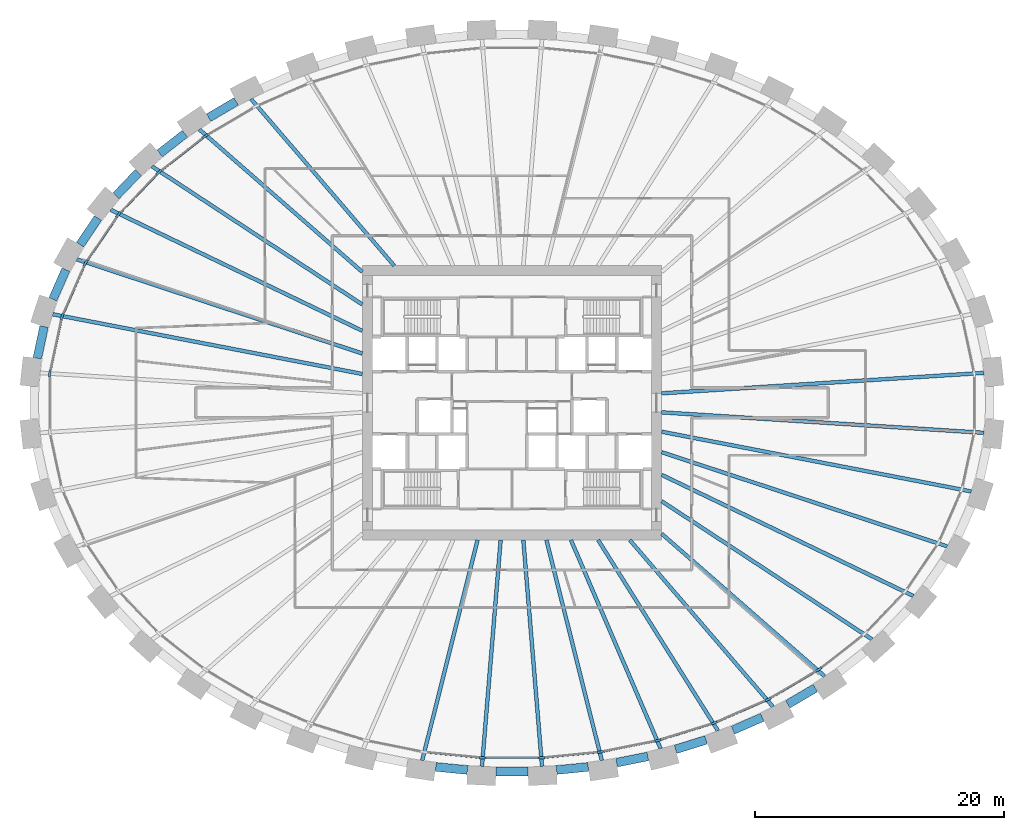
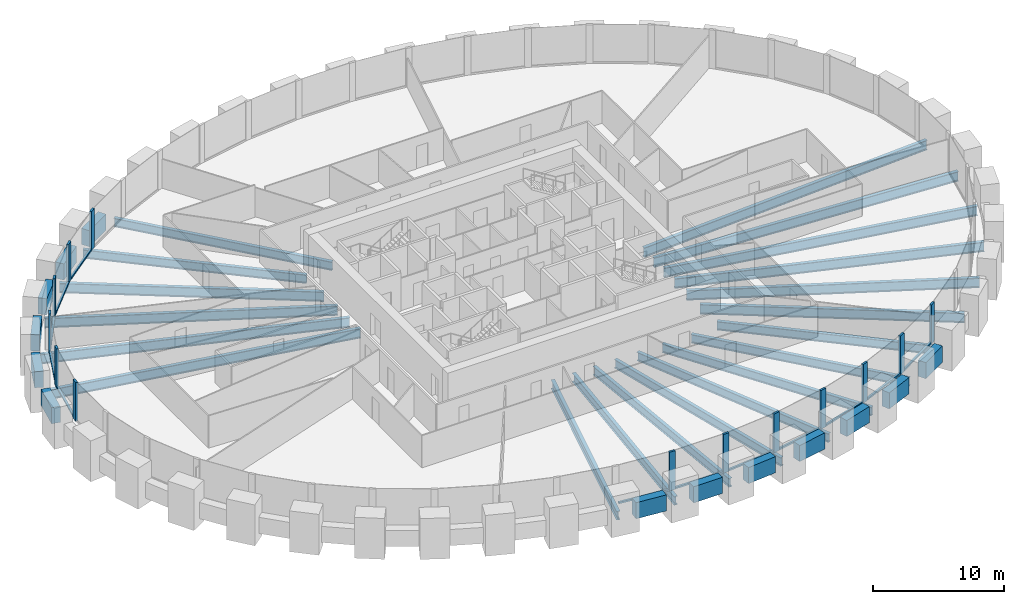
# One storey, part 2 of 11: 33 beams, 25 members, 1 element without a shape of its own.
"""IFC4 building model written with IfcOpenShell, lengths in metres."""

from ifc_helpers import new_model, si_unit, direction, frame, origin, origin_2d, place, context, subcontext, project, spatial, rectangle, i_section, extrude, source, transform, mapped, material, material_profile, profile_set, type_object, element, aggregate, save


model = new_model("IFC4")

# Units and contexts
model_context = context("Model", 3, precision=1e-05, world=origin(), true_north=direction((0.0, 1.0)))
body_context = subcontext(model_context, "Body", "Model", "MODEL_VIEW")
ifc_project = project(units=[si_unit("LENGTHUNIT", "METRE"), si_unit("AREAUNIT", "SQUARE_METRE"), si_unit("VOLUMEUNIT", "CUBIC_METRE"), si_unit("PLANEANGLEUNIT", "RADIAN"), si_unit("MASSUNIT", "GRAM", prefix="KILO")], contexts=[model_context])

# Site, building, storey
site_placement = place(None, origin())
site = spatial("IfcSite", under=ifc_project, at=site_placement, CompositionType="ELEMENT")
building_placement = place(site_placement, origin())
building = spatial("IfcBuilding", under=site, at=building_placement, Name="Embergate Tower", CompositionType="ELEMENT")
storey_placement = place(building_placement, frame((0.0, 0.0, 143.699951171875)))
storey = spatial("IfcBuildingStorey", under=building, at=storey_placement, Name="L31", CompositionType="ELEMENT", Elevation=143.699951171875)

# Beams
ifc_material_1 = material(Name="Concrete C70", Category="concrete")
ifc_material_profile_1 = material_profile(ifc_material_1, rectangle(XDim=0.699951171875, YDim=1.5, at=origin_2d()), Name="RC 700x1500")
ifc_profile_set_1 = profile_set([ifc_material_profile_1], Name="Concrete C70")
beam_type_1 = type_object("IfcBeamType", Name="Spandrel beam RC 700x1500 C70", PredefinedType="BEAM", material=ifc_profile_set_1)
shared_shape_1 = source(origin(), body_context, "Body", "SweptSolid", [
    extrude(rectangle(XDim=0.699951171875, YDim=1.5, at=origin_2d()), origin(), (0.0, 0.0, 1.0), 2.59423828125),
])
beam_1_placement = place(storey_placement, frame((-37.514892578125, 6.1201171875, 0.0), z_axis=(-0.210518717987, -0.977589826756, 0.0), x_axis=(0.977589826756, -0.210518717987, 0.0)))
element("IfcBeam", 1, at=beam_1_placement, inside=storey, type_object=beam_type_1, Name="SPN-L31-20", PredefinedType="BEAM", context=body_context, shape_type="MappedRepresentation", body=[
    mapped(shared_shape_1, transform((0.0, 0.0, 0.0))),
])
shared_shape_2 = source(origin(), body_context, "Body", "SweptSolid", [
    extrude(rectangle(XDim=0.699951171875, YDim=1.5, at=origin_2d()), origin(), (0.0, 0.0, 1.0), 2.5888671875),
])
beam_2_placement = place(storey_placement, frame((-35.76806640625, 10.678955078125, 0.0), z_axis=(-0.401723931702, -0.915760821775, 0.0), x_axis=(0.915760821775, -0.401723931702, 0.0)))
element("IfcBeam", 2, at=beam_2_placement, inside=storey, type_object=beam_type_1, Name="SPN-L31-19", PredefinedType="BEAM", context=body_context, shape_type="MappedRepresentation", body=[
    mapped(shared_shape_2, transform((0.0, 0.0, 0.0))),
])
shared_shape_3 = source(origin(), body_context, "Body", "SweptSolid", [
    extrude(rectangle(XDim=0.699951171875, YDim=1.5, at=origin_2d()), origin(), (0.0, 0.0, 1.0), 2.5791015625),
])
beam_3_placement = place(storey_placement, frame((-33.18701171875, 14.81396484375, 0.0), z_axis=(-0.562170202136, -0.82702156189, 0.0), x_axis=(0.82702156189, -0.562170202136, 0.0)))
element("IfcBeam", 3, at=beam_3_placement, inside=storey, type_object=beam_type_1, Name="SPN-L31-18", PredefinedType="BEAM", context=body_context, shape_type="MappedRepresentation", body=[
    mapped(shared_shape_3, transform((0.0, 0.0, 0.0))),
])
shared_shape_4 = source(origin(), body_context, "Body", "SweptSolid", [
    extrude(rectangle(XDim=0.699951171875, YDim=1.5, at=origin_2d()), origin(), (0.0, 0.0, 1.0), 2.574462890625),
])
beam_4_placement = place(storey_placement, frame((-29.964111328125, 18.466064453125, 0.0), z_axis=(-0.690171205001, -0.72364612055, 0.0), x_axis=(0.72364612055, -0.690171205001, 0.0)))
element("IfcBeam", 4, at=beam_4_placement, inside=storey, type_object=beam_type_1, Name="SPN-L31-17", PredefinedType="BEAM", context=body_context, shape_type="MappedRepresentation", body=[
    mapped(shared_shape_4, transform((0.0, 0.0, 0.0))),
])
shared_shape_5 = source(origin(), body_context, "Body", "SweptSolid", [
    extrude(rectangle(XDim=0.699951171875, YDim=1.5, at=origin_2d()), origin(), (0.0, 0.0, 1.0), 2.56689453125),
])
beam_5_placement = place(storey_placement, frame((-26.222900390625, 21.574951171875, 0.0), z_axis=(-0.788172869351, -0.615453920305, 0.0), x_axis=(0.615453920305, -0.788172869351, 0.0)))
element("IfcBeam", 5, at=beam_5_placement, inside=storey, type_object=beam_type_1, Name="SPN-L31-16", PredefinedType="BEAM", context=body_context, shape_type="MappedRepresentation", body=[
    mapped(shared_shape_5, transform((0.0, 0.0, 0.0))),
])
shared_shape_6 = source(origin(), body_context, "Body", "SweptSolid", [
    extrude(rectangle(XDim=0.699951171875, YDim=1.5, at=origin_2d()), origin(), (0.0, 0.0, 1.0), 2.561279296875),
])
for number, where, z_axis, x_axis, name in (
    (6, (-22.113037109375, 24.166015625, 0.0), (-0.862059156479, -0.506807666409, 0.0), (0.506807666409, -0.862059156479, 0.0), "SPN-L31-15"),
    (7, (22.113037109375, -24.166015625, 0.0), (0.862059156479, 0.506807666409, 0.0), (-0.506807666409, 0.862059156479, 0.0), "SPN-L31-37"),
):
    element("IfcBeam", number, at=place(storey_placement, frame(where, z_axis=z_axis, x_axis=x_axis)), inside=storey, type_object=beam_type_1, Name=name, PredefinedType="BEAM", context=body_context, shape_type="MappedRepresentation", body=[
        mapped(shared_shape_6, transform((0.0, 0.0, 0.0))),
    ])
shared_shape_7 = source(origin(), body_context, "Body", "SweptSolid", [
    extrude(rectangle(XDim=0.699951171875, YDim=1.5, at=origin_2d()), origin(), (0.0, 0.0, 1.0), 2.558837890625),
])
beam_6_placement = place(storey_placement, frame((17.718994140625, -26.236083984375, 0.0), z_axis=(0.916408972809, 0.40024316928, 0.0), x_axis=(-0.40024316928, 0.916408972809, 0.0)))
element("IfcBeam", 8, at=beam_6_placement, inside=storey, type_object=beam_type_1, Name="SPN-L31-36", PredefinedType="BEAM", context=body_context, shape_type="MappedRepresentation", body=[
    mapped(shared_shape_7, transform((0.0, 0.0, 0.0))),
])
shared_shape_8 = source(origin(), body_context, "Body", "SweptSolid", [
    extrude(rectangle(XDim=0.699951171875, YDim=1.5, at=origin_2d()), origin(), (0.0, 0.0, 1.0), 2.5537109375),
])
beam_7_placement = place(storey_placement, frame((13.118896484375, -27.781005859375, 0.0), z_axis=(0.954687282826, 0.297610806273, 0.0), x_axis=(-0.297610806273, 0.954687282826, 0.0)))
element("IfcBeam", 9, at=beam_7_placement, inside=storey, type_object=beam_type_1, Name="SPN-L31-35", PredefinedType="BEAM", context=body_context, shape_type="MappedRepresentation", body=[
    mapped(shared_shape_8, transform((0.0, 0.0, 0.0))),
])
shared_shape_9 = source(origin(), body_context, "Body", "SweptSolid", [
    extrude(rectangle(XDim=0.699951171875, YDim=1.5, at=origin_2d()), origin(), (0.0, 0.0, 1.0), 2.552734375),
])
beam_8_placement = place(storey_placement, frame((8.386962890625, -28.85205078125, 0.0), z_axis=(0.980477546037, 0.196631080243, 0.0), x_axis=(-0.196631080243, 0.980477546037, 0.0)))
element("IfcBeam", 10, at=beam_8_placement, inside=storey, type_object=beam_type_1, Name="SPN-L31-34", PredefinedType="BEAM", context=body_context, shape_type="MappedRepresentation", body=[
    mapped(shared_shape_9, transform((0.0, 0.0, 0.0))),
])
shared_shape_10 = source(origin(), body_context, "Body", "SweptSolid", [
    extrude(rectangle(XDim=0.699951171875, YDim=1.5, at=origin_2d()), origin(), (0.0, 0.0, 1.0), 2.55126953125),
])
for number, where, z_axis, x_axis, name in (
    (11, (-6.112060546875, -29.19091796875, 0.0), (0.995224880302, -0.09760859403, 0.0), (0.09760859403, 0.995224880302, 0.0), "SPN-L31-31"),
    (12, (3.572998046875, -29.43994140625, 0.0), (0.995224880302, 0.09760859403, 0.0), (-0.09760859403, 0.995224880302, 0.0), "SPN-L31-33"),
):
    element("IfcBeam", number, at=place(storey_placement, frame(where, z_axis=z_axis, x_axis=x_axis)), inside=storey, type_object=beam_type_1, Name=name, PredefinedType="BEAM", context=body_context, shape_type="MappedRepresentation", body=[
        mapped(shared_shape_10, transform((0.0, 0.0, 0.0))),
    ])
shared_shape_11 = source(origin(), body_context, "Body", "SweptSolid", [
    extrude(rectangle(XDim=0.699951171875, YDim=1.5, at=origin_2d()), origin(), (0.0, 0.0, 1.0), 2.5517578125),
])
beam_9_placement = place(storey_placement, frame((-1.27587890625, -29.552978515625, 0.0), z_axis=(1.0, 0.0, 0.0), x_axis=(0.0, 1.0, 0.0)))
element("IfcBeam", 13, at=beam_9_placement, inside=storey, type_object=beam_type_1, Name="SPN-L31-32", PredefinedType="BEAM", context=body_context, shape_type="MappedRepresentation", body=[
    mapped(shared_shape_11, transform((0.0, 0.0, 0.0))),
])
ifc_material_2 = material(Name="Steel Q355B", Category="steel")
ifc_material_profile_2 = material_profile(ifc_material_2, i_section(OverallWidth=0.300048828125, OverallDepth=0.89990234375, WebThickness=0.01611328125, FlangeThickness=0.028076171875, FilletRadius=0.028076171875, at=origin_2d()), Name="HN 900x300x16x28")
ifc_profile_set_2 = profile_set([ifc_material_profile_2], Name="Steel Q355 grade B")
beam_type_2 = type_object("IfcBeamType", Name="Radial girder HN 900x300x16x28", PredefinedType="BEAM", material=ifc_profile_set_2)
shared_shape_12 = source(origin(), body_context, "Body", "SweptSolid", [
    extrude(i_section(OverallWidth=0.300048828125, OverallDepth=0.89990234375, WebThickness=0.01611328125, FlangeThickness=0.028076171875, FilletRadius=0.028076171875, at=origin_2d()), origin(), (0.0, 0.0, 1.0), 25.885986328125),
])
for number, where, z_axis, x_axis, name in (
    (14, (37.833984375, 2.403076171875, -0.64990234375), (-0.997988350438, -0.063397574012, 0.0), (0.063397574012, -0.997988350438, 0.0), "GIR-L31-00"),
    (15, (37.833984375, -2.403076171875, -0.64990234375), (-0.997988350438, 0.063397574012, 0.0), (-0.063397574012, -0.997988350438, 0.0), "GIR-L31-43"),
):
    element("IfcBeam", number, at=place(storey_placement, frame(where, z_axis=z_axis, x_axis=x_axis)), inside=storey, type_object=beam_type_2, Name=name, PredefinedType="BEAM", context=body_context, shape_type="MappedRepresentation", body=[
        mapped(shared_shape_12, transform((0.0, 0.0, 0.0))),
    ])
shared_shape_13 = source(origin(), body_context, "Body", "SweptSolid", [
    extrude(i_section(OverallWidth=0.300048828125, OverallDepth=0.89990234375, WebThickness=0.01611328125, FlangeThickness=0.028076171875, FilletRadius=0.028076171875, at=origin_2d()), origin(), (0.0, 0.0, 1.0), 25.28076171875),
])
for number, where, z_axis, x_axis, name in (
    (16, (-36.822998046875, 7.10400390625, -0.64990234375), (0.981893236668, -0.189435138731, 0.0), (0.189435138731, 0.981893236668, 0.0), "GIR-L31-20"),
    (17, (36.822998046875, -7.10400390625, -0.64990234375), (-0.981893236668, 0.189435138731, 0.0), (-0.189435138731, -0.981893236668, 0.0), "GIR-L31-42"),
):
    element("IfcBeam", number, at=place(storey_placement, frame(where, z_axis=z_axis, x_axis=x_axis)), inside=storey, type_object=beam_type_2, Name=name, PredefinedType="BEAM", context=body_context, shape_type="MappedRepresentation", body=[
        mapped(shared_shape_13, transform((0.0, 0.0, 0.0))),
    ])
shared_shape_14 = source(origin(), body_context, "Body", "SweptSolid", [
    extrude(i_section(OverallWidth=0.300048828125, OverallDepth=0.89990234375, WebThickness=0.01611328125, FlangeThickness=0.028076171875, FilletRadius=0.028076171875, at=origin_2d()), origin(), (0.0, 0.0, 1.0), 24.10498046875),
])
for number, where, z_axis, x_axis, name in (
    (18, (-34.89208984375, 11.507080078125, -0.64990234375), (0.949682225523, -0.313215054756, 0.0), (0.313215054756, 0.949682225523, 0.0), "GIR-L31-19"),
    (19, (34.89208984375, -11.507080078125, -0.64990234375), (-0.949682225523, 0.313215054756, 0.0), (-0.313215054756, -0.949682225523, 0.0), "GIR-L31-41"),
):
    element("IfcBeam", number, at=place(storey_placement, frame(where, z_axis=z_axis, x_axis=x_axis)), inside=storey, type_object=beam_type_2, Name=name, PredefinedType="BEAM", context=body_context, shape_type="MappedRepresentation", body=[
        mapped(shared_shape_14, transform((0.0, 0.0, 0.0))),
    ])
shared_shape_15 = source(origin(), body_context, "Body", "SweptSolid", [
    extrude(i_section(OverallWidth=0.300048828125, OverallDepth=0.89990234375, WebThickness=0.01611328125, FlangeThickness=0.028076171875, FilletRadius=0.028076171875, at=origin_2d()), origin(), (0.0, 0.0, 1.0), 22.4013671875),
])
for number, where, z_axis, x_axis, name in (
    (20, (-32.18701171875, 15.48388671875, -0.64990234375), (0.901154023355, -0.433499049815, 0.0), (0.433499049815, 0.901154023355, 0.0), "GIR-L31-18"),
    (21, (32.18701171875, -15.48388671875, -0.64990234375), (-0.901154023355, 0.433499049815, 0.0), (-0.433499049815, -0.901154023355, 0.0), "GIR-L31-40"),
):
    element("IfcBeam", number, at=place(storey_placement, frame(where, z_axis=z_axis, x_axis=x_axis)), inside=storey, type_object=beam_type_2, Name=name, PredefinedType="BEAM", context=body_context, shape_type="MappedRepresentation", body=[
        mapped(shared_shape_15, transform((0.0, 0.0, 0.0))),
    ])
shared_shape_16 = source(origin(), body_context, "Body", "SweptSolid", [
    extrude(i_section(OverallWidth=0.300048828125, OverallDepth=0.89990234375, WebThickness=0.01611328125, FlangeThickness=0.028076171875, FilletRadius=0.028076171875, at=origin_2d()), origin(), (0.0, 0.0, 1.0), 20.180908203125),
])
for number, where, z_axis, x_axis, name in (
    (22, (-28.865966796875, 18.966064453125, -0.64990234375), (0.835735460255, -0.549132261365, 0.0), (0.549132261365, 0.835735460255, 0.0), "GIR-L31-17"),
    (23, (28.865966796875, -18.966064453125, -0.64990234375), (-0.835735460255, 0.549132261365, 0.0), (-0.549132261365, -0.835735460255, 0.0), "GIR-L31-39"),
):
    element("IfcBeam", number, at=place(storey_placement, frame(where, z_axis=z_axis, x_axis=x_axis)), inside=storey, type_object=beam_type_2, Name=name, PredefinedType="BEAM", context=body_context, shape_type="MappedRepresentation", body=[
        mapped(shared_shape_16, transform((0.0, 0.0, 0.0))),
    ])
ifc_material_profile_3 = material_profile(ifc_material_2, i_section(OverallWidth=0.300048828125, OverallDepth=0.800048828125, WebThickness=0.013916015625, FlangeThickness=0.02587890625, FilletRadius=0.028076171875, at=origin_2d()), Name="HN 800x300x14x26")
ifc_profile_set_3 = profile_set([ifc_material_profile_3], Name="Steel Q355 grade B")
beam_type_3 = type_object("IfcBeamType", Name="Radial girder HN 800x300x14x26", PredefinedType="BEAM", material=ifc_profile_set_3)
shared_shape_17 = source(origin(), body_context, "Body", "SweptSolid", [
    extrude(i_section(OverallWidth=0.300048828125, OverallDepth=0.800048828125, WebThickness=0.013916015625, FlangeThickness=0.02587890625, FilletRadius=0.028076171875, at=origin_2d()), origin(), (0.0, 0.0, 1.0), 17.3671875),
])
for number, where, z_axis, x_axis, name in (
    (24, (-25.072998046875, 21.927001953125, -0.599853515625), (0.752741256854, -0.658316489411, 0.0), (0.658316489411, 0.752741256854, 0.0), "GIR-L31-16"),
    (25, (25.072998046875, -21.927001953125, -0.599853515625), (-0.752741256854, 0.658316489411, 0.0), (-0.658316489411, -0.752741256854, 0.0), "GIR-L31-38"),
):
    element("IfcBeam", number, at=place(storey_placement, frame(where, z_axis=z_axis, x_axis=x_axis)), inside=storey, type_object=beam_type_3, Name=name, PredefinedType="BEAM", context=body_context, shape_type="MappedRepresentation", body=[
        mapped(shared_shape_17, transform((0.0, 0.0, 0.0))),
    ])
shared_shape_18 = source(origin(), body_context, "Body", "SweptSolid", [
    extrude(i_section(OverallWidth=0.300048828125, OverallDepth=0.800048828125, WebThickness=0.013916015625, FlangeThickness=0.02587890625, FilletRadius=0.028076171875, at=origin_2d()), origin(), (0.0, 0.0, 1.0), 17.617919921875),
])
for number, where, z_axis, x_axis, name in (
    (26, (-20.924072265625, 24.365966796875, -0.599853515625), (0.651494074711, -0.75865372247, 0.0), (0.75865372247, 0.651494074711, 0.0), "GIR-L31-15"),
    (27, (20.924072265625, -24.365966796875, -0.599853515625), (-0.651494074711, 0.75865372247, 0.0), (-0.75865372247, -0.651494074711, 0.0), "GIR-L31-37"),
):
    element("IfcBeam", number, at=place(storey_placement, frame(where, z_axis=z_axis, x_axis=x_axis)), inside=storey, type_object=beam_type_3, Name=name, PredefinedType="BEAM", context=body_context, shape_type="MappedRepresentation", body=[
        mapped(shared_shape_18, transform((0.0, 0.0, 0.0))),
    ])
shared_shape_19 = source(origin(), body_context, "Body", "SweptSolid", [
    extrude(i_section(OverallWidth=0.300048828125, OverallDepth=0.800048828125, WebThickness=0.013916015625, FlangeThickness=0.02587890625, FilletRadius=0.028076171875, at=origin_2d()), origin(), (0.0, 0.0, 1.0), 18.060546875),
])
beam_10_placement = place(storey_placement, frame((16.513916015625, -26.2939453125, -0.599853515625), z_axis=(-0.531878610528, 0.846820608903, 0.0), x_axis=(-0.846820608903, -0.531878610528, 0.0)))
element("IfcBeam", 28, at=beam_10_placement, inside=storey, type_object=beam_type_3, Name="GIR-L31-36", PredefinedType="BEAM", context=body_context, shape_type="MappedRepresentation", body=[
    mapped(shared_shape_19, transform((0.0, 0.0, 0.0))),
])
shared_shape_20 = source(origin(), body_context, "Body", "SweptSolid", [
    extrude(i_section(OverallWidth=0.300048828125, OverallDepth=0.800048828125, WebThickness=0.013916015625, FlangeThickness=0.02587890625, FilletRadius=0.028076171875, at=origin_2d()), origin(), (0.0, 0.0, 1.0), 18.2060546875),
])
beam_11_placement = place(storey_placement, frame((11.91796875, -27.72607421875, -0.599853515625), z_axis=(-0.394922496681, 0.918714439647, 0.0), x_axis=(-0.918714439647, -0.394922496681, 0.0)))
element("IfcBeam", 29, at=beam_11_placement, inside=storey, type_object=beam_type_3, Name="GIR-L31-35", PredefinedType="BEAM", context=body_context, shape_type="MappedRepresentation", body=[
    mapped(shared_shape_20, transform((0.0, 0.0, 0.0))),
])
shared_shape_21 = source(origin(), body_context, "Body", "SweptSolid", [
    extrude(i_section(OverallWidth=0.300048828125, OverallDepth=0.800048828125, WebThickness=0.013916015625, FlangeThickness=0.02587890625, FilletRadius=0.028076171875, at=origin_2d()), origin(), (0.0, 0.0, 1.0), 18.220703125),
])
for number, where, z_axis, x_axis, name in (
    (30, (-7.197998046875, -28.672119140625, -0.599853515625), (0.243516003071, 0.969896879183, 0.0), (-0.969896879183, 0.243516003071, 0.0), "GIR-L31-31"),
    (31, (7.197998046875, -28.672119140625, -0.599853515625), (-0.243516003071, 0.969896879183, 0.0), (-0.969896879183, -0.243516003071, 0.0), "GIR-L31-34"),
):
    element("IfcBeam", number, at=place(storey_placement, frame(where, z_axis=z_axis, x_axis=x_axis)), inside=storey, type_object=beam_type_3, Name=name, PredefinedType="BEAM", context=body_context, shape_type="MappedRepresentation", body=[
        mapped(shared_shape_21, transform((0.0, 0.0, 0.0))),
    ])
shared_shape_22 = source(origin(), body_context, "Body", "SweptSolid", [
    extrude(i_section(OverallWidth=0.300048828125, OverallDepth=0.800048828125, WebThickness=0.013916015625, FlangeThickness=0.02587890625, FilletRadius=0.028076171875, at=origin_2d()), origin(), (0.0, 0.0, 1.0), 18.204833984375),
])
for number, where, z_axis, x_axis, name in (
    (32, (-2.406982421875, -29.14306640625, -0.599853515625), (0.082288533097, 0.996608547686, 0.0), (-0.996608547686, 0.082288533097, 0.0), "GIR-L31-32"),
    (33, (2.406982421875, -29.14306640625, -0.599853515625), (-0.082288533097, 0.996608547686, 0.0), (-0.996608547686, -0.082288533097, 0.0), "GIR-L31-33"),
):
    element("IfcBeam", number, at=place(storey_placement, frame(where, z_axis=z_axis, x_axis=x_axis)), inside=storey, type_object=beam_type_3, Name=name, PredefinedType="BEAM", context=body_context, shape_type="MappedRepresentation", body=[
        mapped(shared_shape_22, transform((0.0, 0.0, 0.0))),
    ])

# Curtain wall, members
ifc_material_3 = material(Name="Aluminium and glass", Category="aluminium")
curtain_wall_type = type_object("IfcCurtainWallType", Name="Recessed office glazing", PredefinedType="NOTDEFINED", material=ifc_material_3)
curtain_wall_placement = place(storey_placement, origin())
curtain_wall = element("IfcCurtainWall", 34, at=curtain_wall_placement, inside=storey, type_object=curtain_wall_type, Name="Recessed office glazing ring", ObjectType="RECESSED OFFICE GLAZING", PredefinedType="USERDEFINED")
ifc_material_4 = material(Name="Aluminium, thermally broken", Category="aluminium")
ifc_material_profile_4 = material_profile(ifc_material_4, rectangle(XDim=0.179931640625, YDim=0.52001953125, at=origin_2d()), Name="AL 520x180")
ifc_profile_set_4 = profile_set([ifc_material_profile_4], Name="Aluminium, thermally broken")
member_type_1 = type_object("IfcMemberType", Name="Office mullion", PredefinedType="MULLION", material=ifc_profile_set_4)
shared_shape_23 = source(origin(), body_context, "Body", "SweptSolid", [
    extrude(rectangle(XDim=0.179931640625, YDim=0.52001953125, at=origin_2d()), origin(), (0.0, 0.0, 1.0), 3.60009765625),
])
member_1_placement = place(storey_placement, frame((-24.6015625, 21.382080078125, 0.0), z_axis=(0.0, 0.0, 1.0), x_axis=(0.562208958301, -0.826995215951, 0.0)))
member_1 = element("IfcMember", 35, at=member_1_placement, type_object=member_type_1, Name="CW mullion 17", PredefinedType="MULLION", context=body_context, shape_type="MappedRepresentation", body=[
    mapped(shared_shape_23, transform((0.0, 0.0, 0.0))),
])
member_2_placement = place(storey_placement, frame((-28.314453125, 18.484375, 0.0), z_axis=(0.0, 0.0, 1.0), x_axis=(0.671220065284, -0.741258135847, 0.0)))
member_2 = element("IfcMember", 36, at=member_2_placement, type_object=member_type_1, Name="CW mullion 18", PredefinedType="MULLION", context=body_context, shape_type="MappedRepresentation", body=[
    mapped(shared_shape_23, transform((0.0, 0.0, 0.0))),
])
member_3_placement = place(storey_placement, frame((-31.5595703125, 15.08154296875, 0.0), z_axis=(0.0, 0.0, 1.0), x_axis=(0.777867080309, -0.62842883875, 0.0)))
member_3 = element("IfcMember", 37, at=member_3_placement, type_object=member_type_1, Name="CW mullion 19", PredefinedType="MULLION", context=body_context, shape_type="MappedRepresentation", body=[
    mapped(shared_shape_23, transform((0.0, 0.0, 0.0))),
])
member_4_placement = place(storey_placement, frame((-34.198974609375, 11.200439453125, 0.0), z_axis=(0.0, 0.0, 1.0), x_axis=(0.874998516019, -0.484125600402, 0.0)))
member_4 = element("IfcMember", 38, at=member_4_placement, type_object=member_type_1, Name="CW mullion 20", PredefinedType="MULLION", context=body_context, shape_type="MappedRepresentation", body=[
    mapped(shared_shape_23, transform((0.0, 0.0, 0.0))),
])
member_5_placement = place(storey_placement, frame((-36.08056640625, 6.910400390625, 0.0), z_axis=(0.0, 0.0, 1.0), x_axis=(0.951496187099, -0.307660536853, 0.0)))
member_5 = element("IfcMember", 39, at=member_5_placement, type_object=member_type_1, Name="CW mullion 21", PredefinedType="MULLION", context=body_context, shape_type="MappedRepresentation", body=[
    mapped(shared_shape_23, transform((0.0, 0.0, 0.0))),
])
member_6_placement = place(storey_placement, frame((-37.064697265625, 2.33740234375, 0.0), z_axis=(0.0, 0.0, 1.0), x_axis=(0.994384770038, -0.105824992874, 0.0)))
member_6 = element("IfcMember", 40, at=member_6_placement, type_object=member_type_1, Name="CW mullion 22", PredefinedType="MULLION", context=body_context, shape_type="MappedRepresentation", body=[
    mapped(shared_shape_23, transform((0.0, 0.0, 0.0))),
])
member_7_placement = place(storey_placement, frame((-2.36376953125, -28.459228515625, 0.0), z_axis=(0.0, 0.0, 1.0), x_axis=(0.048970053385, 0.998800247232, 0.0)))
member_7 = element("IfcMember", 41, at=member_7_placement, type_object=member_type_1, Name="CW mullion 33", PredefinedType="MULLION", context=body_context, shape_type="MappedRepresentation", body=[
    mapped(shared_shape_23, transform((0.0, 0.0, 0.0))),
])
member_8_placement = place(storey_placement, frame((2.36376953125, -28.459228515625, 0.0), z_axis=(0.0, 0.0, 1.0), x_axis=(-0.048970053385, 0.998800247232, 0.0)))
member_8 = element("IfcMember", 42, at=member_8_placement, type_object=member_type_1, Name="CW mullion 34", PredefinedType="MULLION", context=body_context, shape_type="MappedRepresentation", body=[
    mapped(shared_shape_23, transform((0.0, 0.0, 0.0))),
])
member_9_placement = place(storey_placement, frame((7.068115234375, -27.996826171875, 0.0), z_axis=(0.0, 0.0, 1.0), x_axis=(-0.147408930294, 0.989075632735, 0.0)))
member_9 = element("IfcMember", 43, at=member_9_placement, type_object=member_type_1, Name="CW mullion 35", PredefinedType="MULLION", context=body_context, shape_type="MappedRepresentation", body=[
    mapped(shared_shape_23, transform((0.0, 0.0, 0.0))),
])
member_10_placement = place(storey_placement, frame((11.70166015625, -27.067626953125, 0.0), z_axis=(0.0, 0.0, 1.0), x_axis=(-0.24730680803, 0.968937223303, 0.0)))
member_10 = element("IfcMember", 44, at=member_10_placement, type_object=member_type_1, Name="CW mullion 36", PredefinedType="MULLION", context=body_context, shape_type="MappedRepresentation", body=[
    mapped(shared_shape_23, transform((0.0, 0.0, 0.0))),
])
member_11_placement = place(storey_placement, frame((16.21142578125, -25.6630859375, 0.0), z_axis=(0.0, 0.0, 1.0), x_axis=(-0.349496141799, 0.936937803094, 0.0)))
member_11 = element("IfcMember", 45, at=member_11_placement, type_object=member_type_1, Name="CW mullion 37", PredefinedType="MULLION", context=body_context, shape_type="MappedRepresentation", body=[
    mapped(shared_shape_23, transform((0.0, 0.0, 0.0))),
])
member_12_placement = place(storey_placement, frame((20.536376953125, -23.772216796875, 0.0), z_axis=(0.0, 0.0, 1.0), x_axis=(-0.454503607328, 0.89074489666, 0.0)))
member_12 = element("IfcMember", 46, at=member_12_placement, type_object=member_type_1, Name="CW mullion 38", PredefinedType="MULLION", context=body_context, shape_type="MappedRepresentation", body=[
    mapped(shared_shape_23, transform((0.0, 0.0, 0.0))),
])
member_13_placement = place(storey_placement, frame((24.6015625, -21.382080078125, 0.0), z_axis=(0.0, 0.0, 1.0), x_axis=(-0.562208958301, 0.826995215951, 0.0)))
member_13 = element("IfcMember", 47, at=member_13_placement, type_object=member_type_1, Name="CW mullion 39", PredefinedType="MULLION", context=body_context, shape_type="MappedRepresentation", body=[
    mapped(shared_shape_23, transform((0.0, 0.0, 0.0))),
])
ifc_material_profile_5 = material_profile(ifc_material_4, rectangle(XDim=0.179931640625, YDim=0.14990234375, at=origin_2d()), Name="AL 150x180")
ifc_profile_set_5 = profile_set([ifc_material_profile_5], Name="Aluminium, thermally broken")
member_type_2 = type_object("IfcMemberType", Name="Office sill transom", PredefinedType="USERDEFINED", material=ifc_profile_set_5)
shared_shape_24 = source(origin(), body_context, "Body", "SweptSolid", [
    extrude(rectangle(XDim=0.179931640625, YDim=0.14990234375, at=origin_2d()), origin(), (0.0, 0.0, 1.0), 4.157470703125),
])
member_14_placement = place(storey_placement, frame((-36.13525390625, 6.65625, 0.074951171875), z_axis=(-0.210403256342, -0.977614683667, 0.0), x_axis=(0.977614683667, -0.210403256342, 0.0)))
member_14 = element("IfcMember", 48, at=member_14_placement, type_object=member_type_2, Name="CW transom 21.1", ObjectType="TRANSOM", PredefinedType="USERDEFINED", context=body_context, shape_type="MappedRepresentation", body=[
    mapped(shared_shape_24, transform((0.0, 0.0, 0.0))),
])
shared_shape_25 = source(origin(), body_context, "Body", "SweptSolid", [
    extrude(rectangle(XDim=0.179931640625, YDim=0.14990234375, at=origin_2d()), origin(), (0.0, 0.0, 1.0), 4.16455078125),
])
member_15_placement = place(storey_placement, frame((-34.303466796875, 10.96240234375, 0.074951171875), z_axis=(-0.401624405354, -0.915804475324, 0.0), x_axis=(0.915804475324, -0.401624405354, 0.0)))
member_15 = element("IfcMember", 49, at=member_15_placement, type_object=member_type_2, Name="CW transom 20.1", ObjectType="TRANSOM", PredefinedType="USERDEFINED", context=body_context, shape_type="MappedRepresentation", body=[
    mapped(shared_shape_25, transform((0.0, 0.0, 0.0))),
])
shared_shape_26 = source(origin(), body_context, "Body", "SweptSolid", [
    extrude(rectangle(XDim=0.179931640625, YDim=0.14990234375, at=origin_2d()), origin(), (0.0, 0.0, 1.0), 4.173583984375),
])
member_16_placement = place(storey_placement, frame((-31.705810546875, 14.86669921875, 0.074951171875), z_axis=(-0.562330821554, -0.826912357587, 0.0), x_axis=(0.826912357587, -0.562330821554, 0.0)))
member_16 = element("IfcMember", 50, at=member_16_placement, type_object=member_type_2, Name="CW transom 19.1", ObjectType="TRANSOM", PredefinedType="USERDEFINED", context=body_context, shape_type="MappedRepresentation", body=[
    mapped(shared_shape_26, transform((0.0, 0.0, 0.0))),
])
shared_shape_27 = source(origin(), body_context, "Body", "SweptSolid", [
    extrude(rectangle(XDim=0.179931640625, YDim=0.14990234375, at=origin_2d()), origin(), (0.0, 0.0, 1.0), 4.18212890625),
])
member_17_placement = place(storey_placement, frame((-28.493896484375, 18.29638671875, 0.074951171875), z_axis=(-0.69012439783, -0.723690759592, 0.0), x_axis=(0.723690759592, -0.69012439783, 0.0)))
member_17 = element("IfcMember", 51, at=member_17_placement, type_object=member_type_2, Name="CW transom 18.1", ObjectType="TRANSOM", PredefinedType="USERDEFINED", context=body_context, shape_type="MappedRepresentation", body=[
    mapped(shared_shape_27, transform((0.0, 0.0, 0.0))),
])
shared_shape_28 = source(origin(), body_context, "Body", "SweptSolid", [
    extrude(rectangle(XDim=0.179931640625, YDim=0.14990234375, at=origin_2d()), origin(), (0.0, 0.0, 1.0), 4.189697265625),
])
member_18_placement = place(storey_placement, frame((-24.806640625, 21.22216796875, 0.074951171875), z_axis=(-0.788299928143, -0.61529116952, 0.0), x_axis=(0.61529116952, -0.788299928143, 0.0)))
member_18 = element("IfcMember", 52, at=member_18_placement, type_object=member_type_2, Name="CW transom 17.1", ObjectType="TRANSOM", PredefinedType="USERDEFINED", context=body_context, shape_type="MappedRepresentation", body=[
    mapped(shared_shape_28, transform((0.0, 0.0, 0.0))),
])
shared_shape_29 = source(origin(), body_context, "Body", "SweptSolid", [
    extrude(rectangle(XDim=0.179931640625, YDim=0.14990234375, at=origin_2d()), origin(), (0.0, 0.0, 1.0), 4.19580078125),
])
member_19_placement = place(storey_placement, frame((20.760498046875, -23.640380859375, 0.074951171875), z_axis=(0.8620538578, 0.506816679138, 0.0), x_axis=(-0.506816679138, 0.8620538578, 0.0)))
member_19 = element("IfcMember", 53, at=member_19_placement, type_object=member_type_2, Name="CW transom 38.1", ObjectType="TRANSOM", PredefinedType="USERDEFINED", context=body_context, shape_type="MappedRepresentation", body=[
    mapped(shared_shape_29, transform((0.0, 0.0, 0.0))),
])
shared_shape_30 = source(origin(), body_context, "Body", "SweptSolid", [
    extrude(rectangle(XDim=0.179931640625, YDim=0.14990234375, at=origin_2d()), origin(), (0.0, 0.0, 1.0), 4.2001953125),
])
member_20_placement = place(storey_placement, frame((16.44970703125, -25.55908203125, 0.074951171875), z_axis=(0.916228023799, 0.400657220583, 0.0), x_axis=(-0.400657220583, 0.916228023799, 0.0)))
member_20 = element("IfcMember", 54, at=member_20_placement, type_object=member_type_2, Name="CW transom 37.1", ObjectType="TRANSOM", PredefinedType="USERDEFINED", context=body_context, shape_type="MappedRepresentation", body=[
    mapped(shared_shape_30, transform((0.0, 0.0, 0.0))),
])
shared_shape_31 = source(origin(), body_context, "Body", "SweptSolid", [
    extrude(rectangle(XDim=0.179931640625, YDim=0.14990234375, at=origin_2d()), origin(), (0.0, 0.0, 1.0), 4.203857421875),
])
member_21_placement = place(storey_placement, frame((11.94970703125, -26.990234375, 0.074951171875), z_axis=(0.954785361942, 0.29729600169, 0.0), x_axis=(-0.29729600169, 0.954785361942, 0.0)))
member_21 = element("IfcMember", 55, at=member_21_placement, type_object=member_type_2, Name="CW transom 36.1", ObjectType="TRANSOM", PredefinedType="USERDEFINED", context=body_context, shape_type="MappedRepresentation", body=[
    mapped(shared_shape_31, transform((0.0, 0.0, 0.0))),
])
shared_shape_32 = source(origin(), body_context, "Body", "SweptSolid", [
    extrude(rectangle(XDim=0.179931640625, YDim=0.14990234375, at=origin_2d()), origin(), (0.0, 0.0, 1.0), 4.205810546875),
])
member_22_placement = place(storey_placement, frame((7.322998046875, -27.94580078125, 0.074951171875), z_axis=(0.980471126949, 0.196663085555, 0.0), x_axis=(-0.196663085555, 0.980471126949, 0.0)))
member_22 = element("IfcMember", 56, at=member_22_placement, type_object=member_type_2, Name="CW transom 35.1", ObjectType="TRANSOM", PredefinedType="USERDEFINED", context=body_context, shape_type="MappedRepresentation", body=[
    mapped(shared_shape_32, transform((0.0, 0.0, 0.0))),
])
shared_shape_33 = source(origin(), body_context, "Body", "SweptSolid", [
    extrude(rectangle(XDim=0.179931640625, YDim=0.14990234375, at=origin_2d()), origin(), (0.0, 0.0, 1.0), 4.20703125),
])
member_23_placement = place(storey_placement, frame((-6.809326171875, -28.022216796875, 0.074951171875), z_axis=(0.99520185845, -0.097843042355, 0.0), x_axis=(0.097843042355, 0.99520185845, 0.0)))
member_23 = element("IfcMember", 57, at=member_23_placement, type_object=member_type_2, Name="CW transom 32.1", ObjectType="TRANSOM", PredefinedType="USERDEFINED", context=body_context, shape_type="MappedRepresentation", body=[
    mapped(shared_shape_33, transform((0.0, 0.0, 0.0))),
])
member_24_placement = place(storey_placement, frame((2.62255859375, -28.433837890625, 0.074951171875), z_axis=(0.99520185845, 0.097843042355, 0.0), x_axis=(-0.097843042355, 0.99520185845, 0.0)))
member_24 = element("IfcMember", 58, at=member_24_placement, type_object=member_type_2, Name="CW transom 34.1", ObjectType="TRANSOM", PredefinedType="USERDEFINED", context=body_context, shape_type="MappedRepresentation", body=[
    mapped(shared_shape_33, transform((0.0, 0.0, 0.0))),
])
shared_shape_34 = source(origin(), body_context, "Body", "SweptSolid", [
    extrude(rectangle(XDim=0.179931640625, YDim=0.14990234375, at=origin_2d()), origin(), (0.0, 0.0, 1.0), 4.20751953125),
])
member_25_placement = place(storey_placement, frame((-2.103759765625, -28.459228515625, 0.074951171875), z_axis=(1.0, 0.0, 0.0), x_axis=(0.0, 1.0, 0.0)))
member_25 = element("IfcMember", 59, at=member_25_placement, type_object=member_type_2, Name="CW transom 33.1", ObjectType="TRANSOM", PredefinedType="USERDEFINED", context=body_context, shape_type="MappedRepresentation", body=[
    mapped(shared_shape_34, transform((0.0, 0.0, 0.0))),
])
aggregate(curtain_wall, [member_1, member_2, member_3, member_4, member_5, member_6, member_7, member_8, member_9, member_10, member_11, member_12, member_13, member_18, member_17, member_16, member_15, member_14, member_23, member_25, member_24, member_22, member_21, member_20, member_19])

save(model, "model.ifc")
